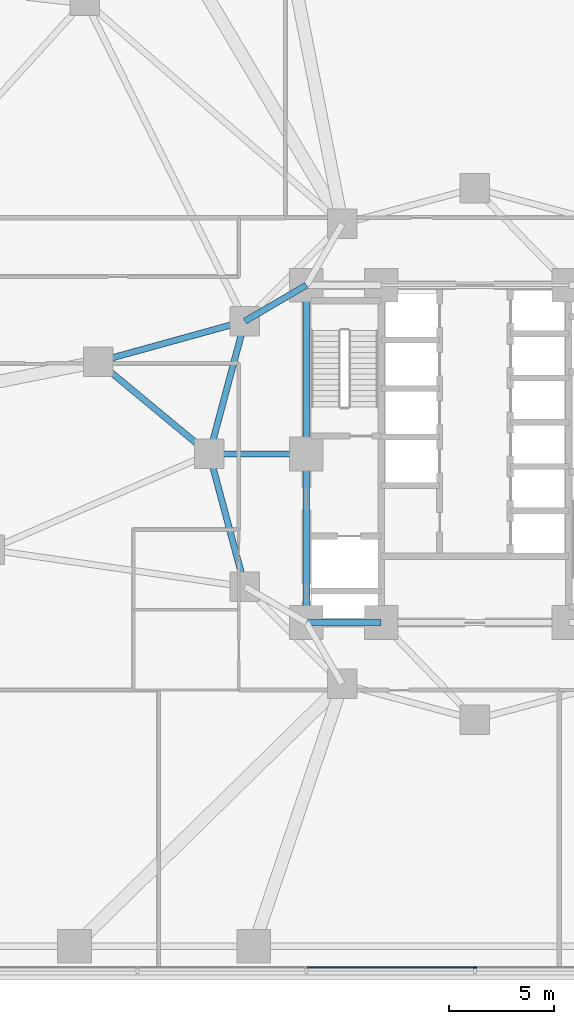
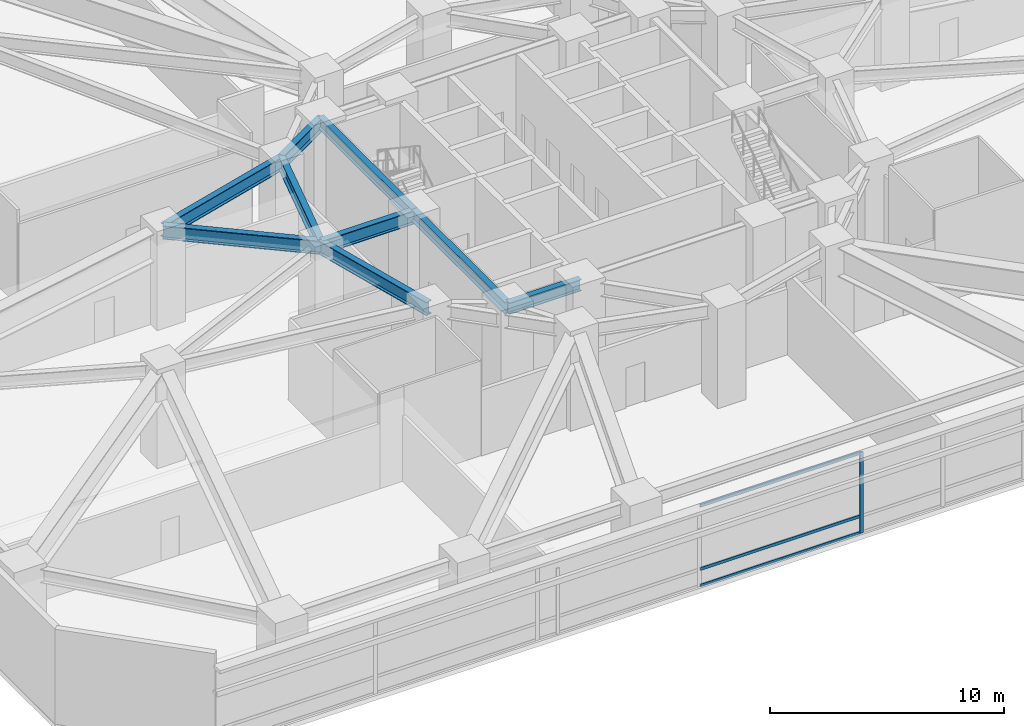
# One storey, part 6 of 28: 9 beams, 4 members, 1 element without a shape of its own.
"""IFC4 building model written with IfcOpenShell, lengths in metres."""

from ifc_helpers import new_model, si_unit, direction, frame, origin, origin_2d, place, context, subcontext, project, spatial, rectangle, i_section, extrude, material, layer, layer_set, material_profile, profile_set, type_object, element, aggregate, save


model = new_model("IFC4")

# Units and contexts
model_context = context("Model", 3, precision=1e-05, world=origin(), true_north=direction((0.0, 1.0)))
body_context = subcontext(model_context, "Body", "Model", "MODEL_VIEW")
ifc_project = project(units=[si_unit("LENGTHUNIT", "METRE"), si_unit("AREAUNIT", "SQUARE_METRE"), si_unit("VOLUMEUNIT", "CUBIC_METRE"), si_unit("PLANEANGLEUNIT", "RADIAN"), si_unit("MASSUNIT", "GRAM", prefix="KILO")], contexts=[model_context])

# Site, building, storey
site_placement = place(None, origin())
site = spatial("IfcSite", under=ifc_project, at=site_placement, CompositionType="ELEMENT")
building_placement = place(site_placement, origin())
building = spatial("IfcBuilding", under=site, at=building_placement, Name="Terralouvre Media Tower", CompositionType="ELEMENT")
storey_placement = place(building_placement, frame((0.0, 0.0, 10.39990234375)))
storey = spatial("IfcBuildingStorey", under=building, at=storey_placement, Name="L02", CompositionType="ELEMENT", Elevation=10.39990234375)

# Curtain wall, members
ifc_material_1 = material(Name="Low-iron laminated double glazing with solar-control coating", Category="glass")
ifc_layer = layer(ifc_material_1, 0.1650390625, Name="Podium Broadcast Gallery Glazing CW-01")
ifc_layer_set = layer_set([ifc_layer], Name="Low-iron laminated double glazing with solar-control coating")
curtain_wall_type = type_object("IfcCurtainWallType", Name="Podium Broadcast Gallery Glazing CW-01", PredefinedType="NOTDEFINED", material=ifc_layer_set)
curtain_wall_placement = place(storey_placement, origin())
curtain_wall = element("IfcCurtainWall", 1, at=curtain_wall_placement, inside=storey, type_object=curtain_wall_type, Name="L02 Podium Curtain Wall F0", PredefinedType="NOTDEFINED")
ifc_material_2 = material(Name="Anodised extruded aluminium 6063-T6", Category="aluminium")
ifc_material_profile_1 = material_profile(ifc_material_2, rectangle(XDim=0.074951171875, YDim=0.14990234375, at=origin_2d()), Name="ALU 75x150")
ifc_profile_set_1 = profile_set([ifc_material_profile_1], Name="Anodised extruded aluminium 6063-T6")
member_type_1 = type_object("IfcMemberType", Name="Curtain-Wall Horizontal Transom TR-150", PredefinedType="USERDEFINED", material=ifc_profile_set_1)
member_1_placement = place(storey_placement, frame((-7.96240234375, -24.360107421875, 0.03759765625), z_axis=(1.0, 0.0, 0.0), x_axis=(0.0, 1.0, 0.0)))
member_1 = element("IfcMember", 2, at=member_1_placement, type_object=member_type_1, Name="CW-01 transom 4.1", ObjectType="TRANSOM", PredefinedType="USERDEFINED", context=body_context, shape_type="SweptSolid", body=[
    extrude(rectangle(XDim=0.074951171875, YDim=0.14990234375, at=origin_2d()), origin(), (0.0, 0.0, 1.0), 7.9248046875),
])
member_2_placement = place(storey_placement, frame((-7.96240234375, -24.360107421875, 0.900146484375), z_axis=(1.0, 0.0, 0.0), x_axis=(0.0, 1.0, 0.0)))
member_2 = element("IfcMember", 3, at=member_2_placement, type_object=member_type_1, Name="CW-01 transom 4.2", ObjectType="TRANSOM", PredefinedType="USERDEFINED", context=body_context, shape_type="SweptSolid", body=[
    extrude(rectangle(XDim=0.074951171875, YDim=0.14990234375, at=origin_2d()), origin(), (0.0, 0.0, 1.0), 7.9248046875),
])
member_3_placement = place(storey_placement, frame((-7.96240234375, -24.360107421875, 4.192626953125), z_axis=(1.0, 0.0, 0.0), x_axis=(0.0, 1.0, 0.0)))
member_3 = element("IfcMember", 4, at=member_3_placement, type_object=member_type_1, Name="CW-01 transom 4.3", ObjectType="TRANSOM", PredefinedType="USERDEFINED", context=body_context, shape_type="SweptSolid", body=[
    extrude(rectangle(XDim=0.074951171875, YDim=0.14990234375, at=origin_2d()), origin(), (0.0, 0.0, 1.0), 7.9248046875),
])
ifc_material_3 = material(Name="Anodised extruded aluminium 6063-T6", Category="aluminium")
ifc_material_profile_2 = material_profile(ifc_material_3, rectangle(XDim=0.074951171875, YDim=0.179931640625, at=origin_2d()), Name="ALU 75x180")
ifc_profile_set_2 = profile_set([ifc_material_profile_2], Name="Anodised extruded aluminium 6063-T6")
member_type_2 = type_object("IfcMemberType", Name="Curtain-Wall Vertical Mullion ML-180", PredefinedType="MULLION", material=ifc_profile_set_2)
member_4_placement = place(storey_placement, frame((0.0, -24.360107421875, 0.0), z_axis=(0.0, 0.0, 1.0), x_axis=(0.0, 1.0, 0.0)))
member_4 = element("IfcMember", 5, at=member_4_placement, type_object=member_type_2, Name="CW-01 mullion 5", PredefinedType="MULLION", context=body_context, shape_type="SweptSolid", body=[
    extrude(rectangle(XDim=0.074951171875, YDim=0.179931640625, at=origin_2d()), origin(), (0.0, 0.0, 1.0), 4.22998046875),
])
aggregate(curtain_wall, [member_4, member_1, member_2, member_3])

# Beams
ifc_material_4 = material(Name="Structural steel S460M", Category="steel")
ifc_material_profile_3 = material_profile(ifc_material_4, i_section(OverallWidth=0.300048828125, OverallDepth=0.60009765625, WebThickness=0.015380859375, FlangeThickness=0.030029296875, at=origin_2d()), Name="HEB 600")
ifc_profile_set_3 = profile_set([ifc_material_profile_3], Name="Structural steel S460M")
beam_type_1 = type_object("IfcBeamType", Name="Primary Floor Girder B-HEB600 (HEB 600)", PredefinedType="BEAM", material=ifc_profile_set_3)
beam_1_placement = place(storey_placement, frame((-8.0, -8.0, 4.650146484375), z_axis=(1.0, 0.0, 0.0), x_axis=(0.0, 1.0, 0.0)))
element("IfcBeam", 6, at=beam_1_placement, inside=storey, type_object=beam_type_1, Name="L02 Framing Beam BM-L02-CPR01", PredefinedType="BEAM", context=body_context, shape_type="SweptSolid", body=[
    extrude(i_section(OverallWidth=0.300048828125, OverallDepth=0.60009765625, WebThickness=0.015380859375, FlangeThickness=0.030029296875, at=origin_2d()), origin(), (0.0, 0.0, 1.0), 3.550048828125),
])
for number, where, z_axis, x_axis, name in (
    (7, (-8.0, 8.0, 4.650146484375), (0.0, -1.0, 0.0), (1.0, 0.0, 0.0), "L02 Framing Beam BM-L02-CPR09"),
    (8, (-8.0, 0.0, 4.650146484375), (0.0, -1.0, 0.0), (1.0, 0.0, 0.0), "L02 Framing Beam BM-L02-CPR10"),
):
    element("IfcBeam", number, at=place(storey_placement, frame(where, z_axis=z_axis, x_axis=x_axis)), inside=storey, type_object=beam_type_1, Name=name, PredefinedType="BEAM", context=body_context, shape_type="SweptSolid", body=[
        extrude(i_section(OverallWidth=0.300048828125, OverallDepth=0.60009765625, WebThickness=0.015380859375, FlangeThickness=0.030029296875, at=origin_2d()), origin(), (0.0, 0.0, 1.0), 8.0),
    ])
ifc_material_5 = material(Name="Structural steel S460M", Category="steel")
ifc_material_profile_4 = material_profile(ifc_material_5, i_section(OverallWidth=0.300048828125, OverallDepth=0.699951171875, WebThickness=0.01708984375, FlangeThickness=0.031982421875, at=origin_2d()), Name="HEB 700")
ifc_profile_set_4 = profile_set([ifc_material_profile_4], Name="Structural steel S460M")
beam_type_2 = type_object("IfcBeamType", Name="Primary Floor Girder B-HEB700 (HEB 700)", PredefinedType="BEAM", material=ifc_profile_set_4)
for number, where, z_axis, x_axis, name in (
    (9, (-10.911865234375, 6.300048828125, 4.60009765625), (-0.258838989821, -0.965920481897, 0.0), (0.965920481897, -0.258838989821, 0.0), "L02 Framing Beam BM-L02-MR11"),
    (10, (-12.60009765625, 0.0, 4.60009765625), (0.258838989821, -0.965920481897, 0.0), (0.965920481897, 0.258838989821, 0.0), "L02 Framing Beam BM-L02-MR12"),
):
    element("IfcBeam", number, at=place(storey_placement, frame(where, z_axis=z_axis, x_axis=x_axis)), inside=storey, type_object=beam_type_2, Name=name, PredefinedType="BEAM", context=body_context, shape_type="SweptSolid", body=[
        extrude(i_section(OverallWidth=0.300048828125, OverallDepth=0.699951171875, WebThickness=0.01708984375, FlangeThickness=0.031982421875, at=origin_2d()), origin(), (0.0, 0.0, 1.0), 6.522216796875),
    ])
beam_2_placement = place(storey_placement, frame((-8.0, 8.0, 4.60009765625), z_axis=(-0.863602894532, -0.504172629717, 0.0), x_axis=(0.504172629717, -0.863602894532, 0.0)))
element("IfcBeam", 11, at=beam_2_placement, inside=storey, type_object=beam_type_2, Name="L02 Framing Beam BM-L02-CM11", PredefinedType="BEAM", context=body_context, shape_type="SweptSolid", body=[
    extrude(i_section(OverallWidth=0.300048828125, OverallDepth=0.699951171875, WebThickness=0.01708984375, FlangeThickness=0.031982421875, at=origin_2d()), origin(), (0.0, 0.0, 1.0), 3.371826171875),
])
beam_3_placement = place(storey_placement, frame((-8.0, 0.0, 4.60009765625), z_axis=(-1.0, 0.0, 0.0), x_axis=(0.0, -1.0, 0.0)))
element("IfcBeam", 12, at=beam_3_placement, inside=storey, type_object=beam_type_2, Name="L02 Framing Beam BM-L02-CM12", PredefinedType="BEAM", context=body_context, shape_type="SweptSolid", body=[
    extrude(i_section(OverallWidth=0.300048828125, OverallDepth=0.699951171875, WebThickness=0.01708984375, FlangeThickness=0.031982421875, at=origin_2d()), origin(), (0.0, 0.0, 1.0), 4.60009765625),
])
beam_4_placement = place(storey_placement, frame((-12.60009765625, 0.0, 4.60009765625), z_axis=(-0.769816459478, 0.638265320001, 0.0), x_axis=(-0.638265320001, -0.769816459478, 0.0)))
element("IfcBeam", 13, at=beam_4_placement, inside=storey, type_object=beam_type_2, Name="L02 Framing Beam BM-L02-PM23M1", PredefinedType="BEAM", context=body_context, shape_type="SweptSolid", body=[
    extrude(i_section(OverallWidth=0.300048828125, OverallDepth=0.699951171875, WebThickness=0.01708984375, FlangeThickness=0.031982421875, at=origin_2d()), origin(), (0.0, 0.0, 1.0), 6.851806640625),
])
beam_5_placement = place(storey_placement, frame((-10.911865234375, 6.300048828125, 4.60009765625), z_axis=(-0.963780816717, -0.266695589254, 0.0), x_axis=(0.266695589254, -0.963780816717, 0.0)))
element("IfcBeam", 14, at=beam_5_placement, inside=storey, type_object=beam_type_2, Name="L02 Framing Beam BM-L02-PM23M2", PredefinedType="BEAM", context=body_context, shape_type="SweptSolid", body=[
    extrude(i_section(OverallWidth=0.300048828125, OverallDepth=0.699951171875, WebThickness=0.01708984375, FlangeThickness=0.031982421875, at=origin_2d()), origin(), (0.0, 0.0, 1.0), 7.224609375),
])

save(model, "model.ifc")
